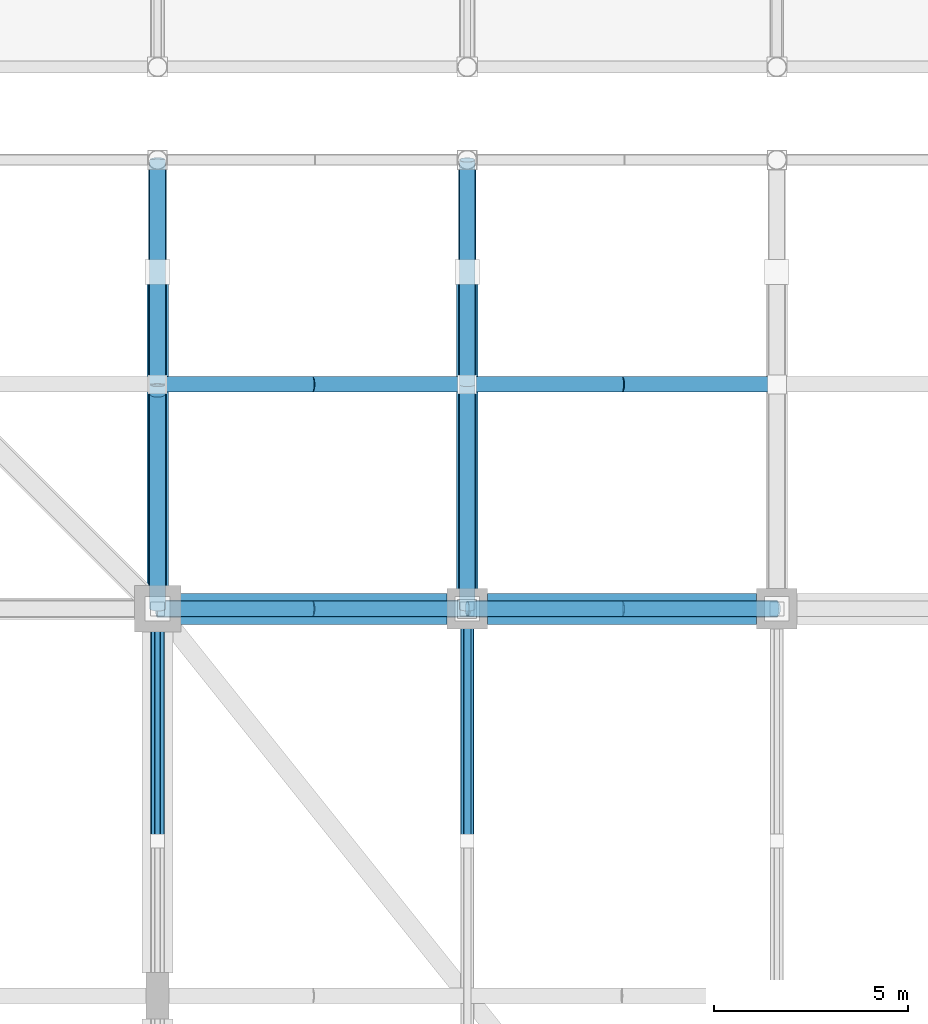
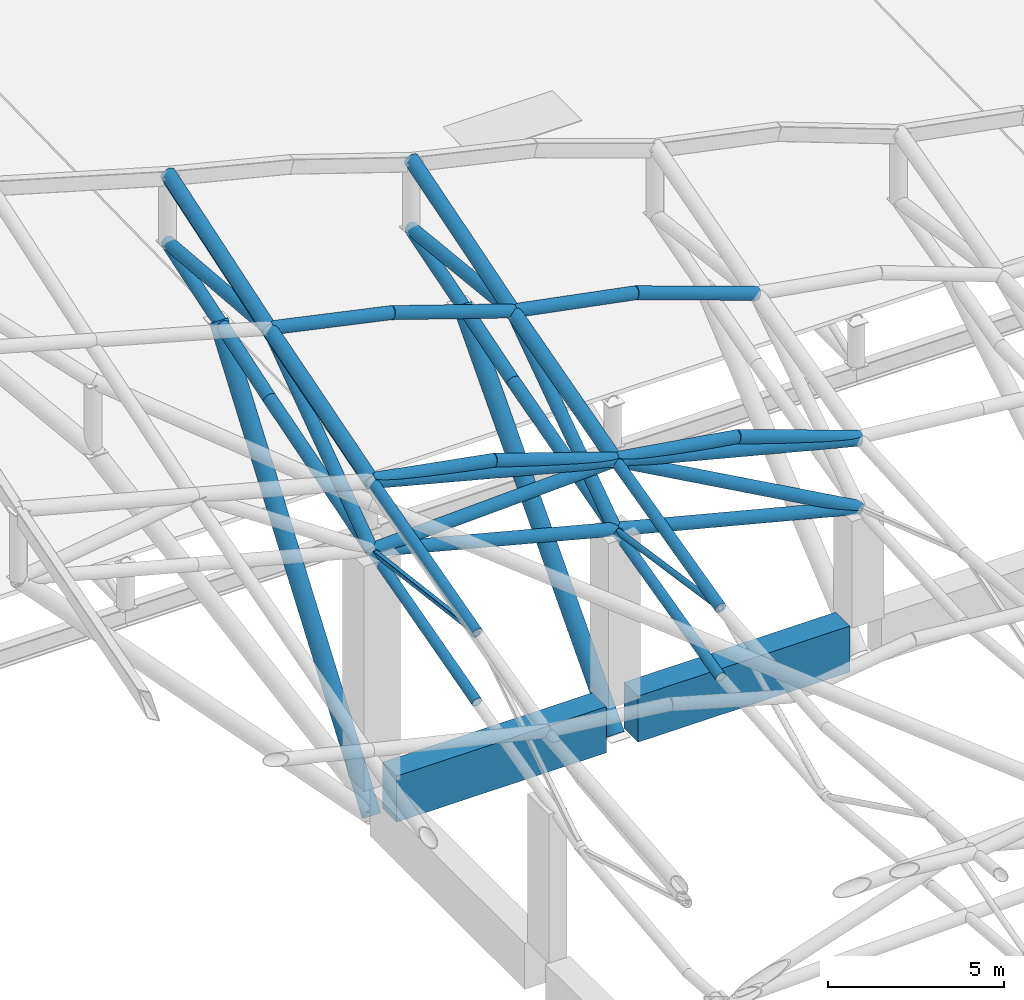
# One storey, part 11 of 75: 36 members, 2 beams.
"""IFC4 building model written with IfcOpenShell, lengths in metres."""

import ifcopenshell
import ifcopenshell.guid

model = None  # the IFC model being written
_history = None  # IfcOwnerHistory: only IFC2X3 demands one
_inside = {}  # id of a spatial element -> (the spatial element, [elements in it])
_under = {}  # id of a project, library or spatial element -> (it, [spatial elements below it])
_declared = {}  # id of a project -> (the project, [libraries it declares])
_typed = {}  # id of a type object -> (the type object, [elements of that type])
_made_of = {}  # id of a material, layer set ... -> (it, [elements and type objects made of it])


def new_model(schema):
    """Start an empty IFC model of exactly this schema.

    Asked for "IFC4X3", IfcOpenShell would pick the latest addendum, in which some entities
    have other attributes; the version numbers below select the first issue.
    IFC2X3 requires an IfcOwnerHistory on every rooted entity: one is made here for all.
    """
    global model, _history
    if schema == "IFC4X3":
        model = ifcopenshell.file(schema_version=(4, 3, 0, 0))
    else:
        model = ifcopenshell.file(schema=schema)
    _inside.clear()
    _under.clear()
    _declared.clear()
    _typed.clear()
    _made_of.clear()
    _history = None
    if model.schema == "IFC2X3":
        org = make("IfcOrganization", Name="unknown")
        user = make(
            "IfcPersonAndOrganization",
            ThePerson=make("IfcPerson", FamilyName="unknown"),
            TheOrganization=org,
        )
        app = make(
            "IfcApplication",
            ApplicationDeveloper=org,
            Version="unknown",
            ApplicationFullName="unknown",
            ApplicationIdentifier="unknown",
        )
        _history = make(
            "IfcOwnerHistory",
            OwningUser=user,
            OwningApplication=app,
            ChangeAction="ADDED",
            CreationDate=0,
        )
    return model


def make(cls, **values):
    """One entity of the class cls with the attributes given. An attribute that is None is left unset."""
    return model.create_entity(
        cls, **{name: value for name, value in values.items() if value is not None}
    )


def rooted(cls, **values):
    """An entity with a GlobalId (a new one), such as an element, a storey or a relation."""
    return make(cls, GlobalId=ifcopenshell.guid.new(), OwnerHistory=_history, **values)


def si_unit(unit_type, name, prefix=None):
    """IfcSIUnit, for example si_unit("LENGTHUNIT", "METRE", prefix="MILLI")."""
    return make("IfcSIUnit", UnitType=unit_type, Prefix=prefix, Name=name)


def assignment(units):
    """IfcUnitAssignment: the units of a project."""
    return None if units is None else make("IfcUnitAssignment", Units=units)


def point(xyz):
    """IfcCartesianPoint."""
    return None if xyz is None else make("IfcCartesianPoint", Coordinates=xyz)


def direction(xyz):
    """IfcDirection."""
    return None if xyz is None else make("IfcDirection", DirectionRatios=xyz)


def frame(location, z_axis=None, x_axis=None):
    """IfcAxis2Placement3D, a coordinate frame: its origin and axes. An axis left out is left unset."""
    return make(
        "IfcAxis2Placement3D",
        Location=point(location),
        Axis=direction(z_axis),
        RefDirection=direction(x_axis),
    )


def frame_2d(location, x_axis=None):
    """IfcAxis2Placement2D, a coordinate frame in the plane: its origin and x axis."""
    return make(
        "IfcAxis2Placement2D", Location=point(location), RefDirection=direction(x_axis)
    )


def origin():
    """The frame at (0, 0, 0) with its axes left unset."""
    return frame((0.0, 0.0, 0.0))


def origin_2d():
    """The frame at (0, 0) in the plane with its x axis left unset."""
    return frame_2d((0.0, 0.0))


def place(relative_to, where):
    """IfcLocalPlacement: puts the frame where relative to a parent placement (None: the world)."""
    return make(
        "IfcLocalPlacement", PlacementRelTo=relative_to, RelativePlacement=where
    )


def context(
    kind, dimensions, precision=None, world=None, true_north=None, identifier=None
):
    """IfcGeometricRepresentationContext, for example the 3D "Model" context."""
    return make(
        "IfcGeometricRepresentationContext",
        ContextIdentifier=identifier,
        ContextType=kind,
        CoordinateSpaceDimension=dimensions,
        Precision=precision,
        WorldCoordinateSystem=world,
        TrueNorth=true_north,
    )


def subcontext(parent, identifier, kind, view, scale=None):
    """IfcGeometricRepresentationSubContext, for example "Body" below "Model"."""
    return make(
        "IfcGeometricRepresentationSubContext",
        ContextIdentifier=identifier,
        ContextType=kind,
        ParentContext=parent,
        TargetScale=scale,
        TargetView=view,
    )


def project(units=None, contexts=None):
    """IfcProject with its units and contexts."""
    return rooted(
        "IfcProject",
        Name="project",
        RepresentationContexts=contexts,
        UnitsInContext=assignment(units),
    )


def spatial(cls, under=None, at=None, **own):
    """A site, building, storey or space (cls), placed at a placement, below another one or the project."""
    s = rooted(cls, ObjectPlacement=at, **own)
    if under is not None:
        _under.setdefault(under.id(), (under, []))[1].append(s)
    return s


def profile(cls, at=None, kind="AREA", **sizes):
    """A parametric profile (cls). Its sizes go by their IFC names, for example OverallWidth=200.0."""
    return make(cls, ProfileType=kind, Position=at, **sizes)


def rectangle(**sizes):
    """IfcRectangleProfileDef."""
    return profile("IfcRectangleProfileDef", **sizes)


def hollow_rectangle(**sizes):
    """IfcRectangleHollowProfileDef."""
    return profile("IfcRectangleHollowProfileDef", **sizes)


def hollow_circle(**sizes):
    """IfcCircleHollowProfileDef."""
    return profile("IfcCircleHollowProfileDef", **sizes)


def extrude(swept, where, along, depth):
    """IfcExtrudedAreaSolid: the profile swept, set in the frame where, extruded along a direction by depth."""
    return make(
        "IfcExtrudedAreaSolid",
        SweptArea=swept,
        Position=where,
        ExtrudedDirection=direction(along),
        Depth=depth,
    )


def shape(context_of_items, identifier, shape_type, items):
    """IfcShapeRepresentation: the items that make up one representation, for example the "Body"."""
    return make(
        "IfcShapeRepresentation",
        ContextOfItems=context_of_items,
        RepresentationIdentifier=identifier,
        RepresentationType=shape_type,
        Items=items,
    )


def material(Name=None, Category=None):
    """IfcMaterial."""
    return make("IfcMaterial", Name=Name, Category=Category)


def material_profile(
    of_material, cross_section, Name=None, Category=None, Priority=None
):
    """IfcMaterialProfile: a cross section and its material."""
    return make(
        "IfcMaterialProfile",
        Name=Name,
        Material=of_material,
        Profile=cross_section,
        Priority=Priority,
        Category=Category,
    )


def profile_set(profiles, Name=None, composite=None):
    """IfcMaterialProfileSet."""
    return make(
        "IfcMaterialProfileSet",
        Name=Name,
        MaterialProfiles=profiles,
        CompositeProfile=composite,
    )


def made_of(thing, what):
    """Note that an element or type object is made of a material, layer set ...; save() writes the relation."""
    if what is not None:
        _made_of.setdefault(what.id(), (what, []))[1].append(thing)
    return thing


def type_object(cls, material=None, **own):
    """A type object (cls), such as IfcWallType, which elements share."""
    return made_of(rooted(cls, **own), material)


def element(
    cls,
    number,
    at=None,
    inside=None,
    cuts=None,
    type_object=None,
    material=None,
    context=None,
    identifier="Body",
    shape_type=None,
    held_by="IfcProductDefinitionShape",
    body=None,
    shapes=None,
    **own,
):
    """One element of the class cls, such as IfcWall. Its Tag is "e" and its number.

    at: its placement. inside: the storey or other place that contains it. cuts: it is an
    opening in that element (IfcRelVoidsElement). A single representation is given by context,
    identifier, shape_type and body (its items); several are given by shapes. held_by: the class
    of the entity that holds the representations. save() writes the other relations.
    """
    e = rooted(cls, Tag="e%d" % number, ObjectPlacement=at, **own)
    if body is not None:
        shapes = [shape(context, identifier, shape_type, body)]
    if shapes is not None:
        e.Representation = make(held_by, Representations=shapes)
    if inside is not None:
        _inside.setdefault(inside.id(), (inside, []))[1].append(e)
    if cuts is not None:
        rooted(
            "IfcRelVoidsElement", RelatingBuildingElement=cuts, RelatedOpeningElement=e
        )
    if type_object is not None:
        _typed.setdefault(type_object.id(), (type_object, []))[1].append(e)
    return made_of(e, material)


def aggregate(whole, parts):
    """IfcRelAggregates: a whole, such as a stair, and the parts it consists of."""
    return rooted("IfcRelAggregates", RelatingObject=whole, RelatedObjects=parts)


def save(model, path):
    """Write the relations noted so far, then the file.

    IfcRelAggregates (storeys below a building ...), IfcRelContainedInSpatialStructure (elements
    in a storey), IfcRelDefinesByType, IfcRelAssociatesMaterial and IfcRelDeclares: one each for
    every whole, place, type object, material and project.
    """
    for whole, parts in _under.values():
        aggregate(whole, parts)
    for where, things in _inside.values():
        rooted(
            "IfcRelContainedInSpatialStructure",
            RelatedElements=things,
            RelatingStructure=where,
        )
    for kind, things in _typed.values():
        rooted("IfcRelDefinesByType", RelatedObjects=things, RelatingType=kind)
    for what, things in _made_of.values():
        rooted("IfcRelAssociatesMaterial", RelatedObjects=things, RelatingMaterial=what)
    for by, libraries in _declared.values():
        rooted("IfcRelDeclares", RelatingContext=by, RelatedDefinitions=libraries)
    model.write(path)


model = new_model("IFC4")

# Units and contexts
model_context = context("Model", 3, precision=1e-05, world=origin(), true_north=direction((0.0, 1.0)))
body_context = subcontext(model_context, "Body", "Model", "MODEL_VIEW")
ifc_project = project(units=[si_unit("LENGTHUNIT", "METRE"), si_unit("AREAUNIT", "SQUARE_METRE"), si_unit("VOLUMEUNIT", "CUBIC_METRE"), si_unit("PLANEANGLEUNIT", "RADIAN"), si_unit("MASSUNIT", "GRAM", prefix="KILO")], contexts=[model_context])

# Site, building, storey
site_placement = place(None, origin())
site = spatial("IfcSite", under=ifc_project, at=site_placement, CompositionType="ELEMENT")
building_placement = place(site_placement, origin())
building = spatial("IfcBuilding", under=site, at=building_placement, Name="Khorjan Park Terminus", CompositionType="ELEMENT")
storey_placement = place(building_placement, frame((0.0, 0.0, 16.2)))
storey = spatial("IfcBuildingStorey", under=building, at=storey_placement, Name="L03", CompositionType="ELEMENT", Elevation=16.2)

# Members
ifc_material_1 = material(Name="Steel S355", Category="steel")
ifc_material_profile_1 = material_profile(ifc_material_1, hollow_circle(Radius=0.0969, WallThickness=0.01, at=origin_2d()), Name="CHS 193.7x10")
ifc_profile_set_1 = profile_set([ifc_material_profile_1], Name="Steel S355")
member_type_1 = type_object("IfcMemberType", Name="MB-BR-194", PredefinedType="BRACE", material=ifc_profile_set_1)
member_1_placement = place(storey_placement, frame((56.0, 82.0, 6.6389), z_axis=(0.0, 0.988987074214, -0.148001915656), x_axis=(-1.0, 0.0, 0.0)))
element("IfcMember", 1, at=member_1_placement, inside=storey, type_object=member_type_1, Name="Upper shell fold space-truss web diagonal (2)", PredefinedType="BRACE", context=body_context, shape_type="SweptSolid", body=[
    extrude(hollow_circle(Radius=0.0969, WallThickness=0.01, at=origin_2d()), origin(), (0.0, 0.0, 1.0), 6.0668),
])
ifc_material_profile_2 = material_profile(ifc_material_1, hollow_rectangle(XDim=0.15, YDim=0.15, WallThickness=0.01, InnerFilletRadius=0.01, OuterFilletRadius=0.02, at=origin_2d()), Name="SHS 150x150x10")
ifc_profile_set_2 = profile_set([ifc_material_profile_2], Name="Steel S355")
member_type_2 = type_object("IfcMemberType", Name="MB-BR-SHS150", PredefinedType="BRACE", material=ifc_profile_set_2)
member_2_placement = place(storey_placement, frame((48.0, 82.0, 8.5711), z_axis=(0.0, 0.992247315967, -0.124278976325), x_axis=(-1.0, 0.0, 0.0)))
element("IfcMember", 2, at=member_2_placement, inside=storey, type_object=member_type_2, Name="Upper shell fold space-truss web diagonal (1)", PredefinedType="BRACE", context=body_context, shape_type="SweptSolid", body=[
    extrude(hollow_rectangle(XDim=0.15, YDim=0.15, WallThickness=0.01, InnerFilletRadius=0.01, OuterFilletRadius=0.02, at=origin_2d()), origin(), (0.0, 0.0, 1.0), 6.0469),
])
ifc_material_profile_3 = material_profile(ifc_material_1, hollow_circle(Radius=0.162, WallThickness=0.0125, at=origin_2d()), Name="CHS 323.9x12.5")
ifc_profile_set_3 = profile_set([ifc_material_profile_3], Name="Steel S355")
member_type_3 = type_object("IfcMemberType", Name="MB-CH-324", PredefinedType="CHORD", material=ifc_profile_set_3)
member_3_placement = place(storey_placement, frame((48.0, 82.0, 6.1711), z_axis=(0.0, 0.964266999163, 0.26493235802), x_axis=(-1.0, 0.0, 0.0)))
element("IfcMember", 3, at=member_3_placement, inside=storey, type_object=member_type_3, Name="Upper shell fold space-truss bottom chord (1)", PredefinedType="CHORD", context=body_context, shape_type="SweptSolid", body=[
    extrude(hollow_circle(Radius=0.162, WallThickness=0.0125, at=origin_2d()), origin(), (0.0, 0.0, 1.0), 6.2223),
])
member_4_placement = place(storey_placement, frame((56.0, 82.0, 4.2389), z_axis=(0.0, 0.970062560013, 0.242855161899), x_axis=(-1.0, 0.0, 0.0)))
element("IfcMember", 4, at=member_4_placement, inside=storey, type_object=member_type_3, Name="Upper shell fold space-truss bottom chord (2)", PredefinedType="CHORD", context=body_context, shape_type="SweptSolid", body=[
    extrude(hollow_circle(Radius=0.162, WallThickness=0.0125, at=origin_2d()), origin(), (0.0, 0.0, 1.0), 6.1852),
])
ifc_material_profile_4 = material_profile(ifc_material_1, hollow_circle(Radius=0.1778, WallThickness=0.016, at=origin_2d()), Name="CHS 355.6x16")
ifc_profile_set_4 = profile_set([ifc_material_profile_4], Name="Steel S355")
member_type_4 = type_object("IfcMemberType", Name="MB-CH-356", PredefinedType="CHORD", material=ifc_profile_set_4)
member_5_placement = place(storey_placement, frame((48.0, 82.0, 8.5711), z_axis=(0.0, 0.964266999163, 0.26493235802), x_axis=(-1.0, 0.0, 0.0)))
element("IfcMember", 5, at=member_5_placement, inside=storey, type_object=member_type_4, Name="Upper shell fold space-truss top chord (1)", PredefinedType="CHORD", context=body_context, shape_type="SweptSolid", body=[
    extrude(hollow_circle(Radius=0.1778, WallThickness=0.016, at=origin_2d()), origin(), (0.0, 0.0, 1.0), 6.2223),
])
member_6_placement = place(storey_placement, frame((56.0, 82.0, 6.6389), z_axis=(0.0, 0.970062560013, 0.242855161899), x_axis=(-1.0, 0.0, 0.0)))
element("IfcMember", 6, at=member_6_placement, inside=storey, type_object=member_type_4, Name="Upper shell fold space-truss top chord (2)", PredefinedType="CHORD", context=body_context, shape_type="SweptSolid", body=[
    extrude(hollow_circle(Radius=0.1778, WallThickness=0.016, at=origin_2d()), origin(), (0.0, 0.0, 1.0), 6.1852),
])
ifc_material_profile_5 = material_profile(ifc_material_1, hollow_circle(Radius=0.2032, WallThickness=0.016, at=origin_2d()), Name="CHS 406.4x16")
ifc_profile_set_5 = profile_set([ifc_material_profile_5], Name="Steel S355")
member_type_5 = type_object("IfcMemberType", Name="MB-CH-406", PredefinedType="CHORD", material=ifc_profile_set_5)
member_7_placement = place(storey_placement, frame((48.0, 88.0, 7.8196), z_axis=(0.967863743129, 0.0, -0.251475197059), x_axis=(0.0, 1.0, 0.0)))
element("IfcMember", 7, at=member_7_placement, inside=storey, type_object=member_type_5, Name="Upper shell longitudinal truss bottom chord (W4)", PredefinedType="CHORD", context=body_context, shape_type="SweptSolid", body=[
    extrude(hollow_circle(Radius=0.2032, WallThickness=0.016, at=origin_2d()), origin(), (0.0, 0.0, 1.0), 8.2656),
])
member_8_placement = place(storey_placement, frame((56.0, 88.0, 5.741), z_axis=(0.968840831893, 0.0, -0.247684158673), x_axis=(0.0, 1.0, 0.0)))
element("IfcMember", 8, at=member_8_placement, inside=storey, type_object=member_type_5, Name="Upper shell longitudinal truss bottom chord (W4)", PredefinedType="CHORD", context=body_context, shape_type="SweptSolid", body=[
    extrude(hollow_circle(Radius=0.2032, WallThickness=0.016, at=origin_2d()), origin(), (0.0, 0.0, 1.0), 8.2573),
])
ifc_material_profile_6 = material_profile(ifc_material_1, hollow_circle(Radius=0.2285, WallThickness=0.016, at=origin_2d()), Name="CHS 457x16")
ifc_profile_set_6 = profile_set([ifc_material_profile_6], Name="Steel S355")
member_type_6 = type_object("IfcMemberType", Name="MB-CH-457", PredefinedType="CHORD", material=ifc_profile_set_6)
member_9_placement = place(storey_placement, frame((48.0, 88.0, 10.2196), z_axis=(0.967863743129, 0.0, -0.251475197059), x_axis=(0.0, 1.0, 0.0)))
element("IfcMember", 9, at=member_9_placement, inside=storey, type_object=member_type_6, Name="Upper shell longitudinal truss top chord (W4)", PredefinedType="CHORD", context=body_context, shape_type="SweptSolid", body=[
    extrude(hollow_circle(Radius=0.2285, WallThickness=0.016, at=origin_2d()), origin(), (0.0, 0.0, 1.0), 8.2656),
])
member_10_placement = place(storey_placement, frame((56.0, 88.0, 8.141), z_axis=(0.968840831893, 0.0, -0.247684158673), x_axis=(0.0, 1.0, 0.0)))
element("IfcMember", 10, at=member_10_placement, inside=storey, type_object=member_type_6, Name="Upper shell longitudinal truss top chord (W4)", PredefinedType="CHORD", context=body_context, shape_type="SweptSolid", body=[
    extrude(hollow_circle(Radius=0.2285, WallThickness=0.016, at=origin_2d()), origin(), (0.0, 0.0, 1.0), 8.2573),
])
ifc_material_profile_7 = material_profile(ifc_material_1, hollow_circle(Radius=0.2032, WallThickness=0.016, at=origin_2d()), Name="CHS 406.4x16")
ifc_profile_set_7 = profile_set([ifc_material_profile_7], Name="Steel S355")
member_type_7 = type_object("IfcMemberType", Name="MB-CHE-406", PredefinedType="CHORD", material=ifc_profile_set_7)
member_11_placement = place(storey_placement, frame((48.0, 88.0, 10.1196), z_axis=(0.0, 0.95754410517, 0.288286813181), x_axis=(-1.0, 0.0, 0.0)))
element("IfcMember", 11, at=member_11_placement, inside=storey, type_object=member_type_7, Name="Upper shell overhang fold purlin TCE-41 (Y19)", PredefinedType="CHORD", context=body_context, shape_type="SweptSolid", body=[
    extrude(hollow_circle(Radius=0.2032, WallThickness=0.016, at=origin_2d()), origin(), (0.0, 0.0, 1.0), 6.0572),
])
member_12_placement = place(storey_placement, frame((48.0, 93.8, 11.8658), z_axis=(0.0, 0.950488250775, 0.310760494818), x_axis=(-1.0, 0.0, 0.0)))
element("IfcMember", 12, at=member_12_placement, inside=storey, type_object=member_type_7, Name="Upper shell overhang fold purlin TCE-41 (Y20)", PredefinedType="CHORD", context=body_context, shape_type="SweptSolid", body=[
    extrude(hollow_circle(Radius=0.2032, WallThickness=0.016, at=origin_2d()), origin(), (0.0, 0.0, 1.0), 6.1021),
])
member_13_placement = place(storey_placement, frame((48.0, 88.0, 10.2596), z_axis=(0.983790717148, 0.0, -0.179320452968), x_axis=(0.0, 1.0, 0.0)))
element("IfcMember", 13, at=member_13_placement, inside=storey, type_object=member_type_7, Name="Upper shell fold rib chord (219)", PredefinedType="CHORD", context=body_context, shape_type="SweptSolid", body=[
    extrude(hollow_circle(Radius=0.2032, WallThickness=0.016, at=origin_2d()), origin(), (0.0, 0.0, 1.0), 4.0659),
])
member_14_placement = place(storey_placement, frame((52.0, 88.0, 9.5305), z_axis=(0.947528159205, 0.0, -0.319672312712), x_axis=(0.0, 1.0, 0.0)))
element("IfcMember", 14, at=member_14_placement, inside=storey, type_object=member_type_7, Name="Upper shell fold rib chord (220)", PredefinedType="CHORD", context=body_context, shape_type="SweptSolid", body=[
    extrude(hollow_circle(Radius=0.2032, WallThickness=0.016, at=origin_2d()), origin(), (0.0, 0.0, 1.0), 4.2215),
])
member_15_placement = place(storey_placement, frame((56.0, 88.0, 8.181), z_axis=(0.987872255403, 0.0, -0.155268821743), x_axis=(0.0, 1.0, 0.0)))
element("IfcMember", 15, at=member_15_placement, inside=storey, type_object=member_type_7, Name="Upper shell fold rib chord (221)", PredefinedType="CHORD", context=body_context, shape_type="SweptSolid", body=[
    extrude(hollow_circle(Radius=0.2032, WallThickness=0.016, at=origin_2d()), origin(), (0.0, 0.0, 1.0), 4.0491),
])
member_16_placement = place(storey_placement, frame((60.0, 88.0, 7.5523), z_axis=(0.942639584618, 0.0, -0.333812242903), x_axis=(0.0, 1.0, 0.0)))
element("IfcMember", 16, at=member_16_placement, inside=storey, type_object=member_type_7, Name="Upper shell fold rib chord (222)", PredefinedType="CHORD", context=body_context, shape_type="SweptSolid", body=[
    extrude(hollow_circle(Radius=0.2032, WallThickness=0.016, at=origin_2d()), origin(), (0.0, 0.0, 1.0), 4.2434),
])
member_17_placement = place(storey_placement, frame((48.0, 93.8, 12.0058), z_axis=(0.977371995553, 0.0, -0.211527734137), x_axis=(0.0, 1.0, 0.0)))
element("IfcMember", 17, at=member_17_placement, inside=storey, type_object=member_type_7, Name="Upper shell fold rib chord (243)", PredefinedType="CHORD", context=body_context, shape_type="SweptSolid", body=[
    extrude(hollow_circle(Radius=0.2032, WallThickness=0.016, at=origin_2d()), origin(), (0.0, 0.0, 1.0), 4.0926),
])
member_18_placement = place(storey_placement, frame((52.0, 93.8, 11.1401), z_axis=(0.948279508814, 0.0, -0.317436565575), x_axis=(0.0, 1.0, 0.0)))
element("IfcMember", 18, at=member_18_placement, inside=storey, type_object=member_type_7, Name="Upper shell fold rib chord (244)", PredefinedType="CHORD", context=body_context, shape_type="SweptSolid", body=[
    extrude(hollow_circle(Radius=0.2032, WallThickness=0.016, at=origin_2d()), origin(), (0.0, 0.0, 1.0), 4.2182),
])
member_19_placement = place(storey_placement, frame((56.0, 93.8, 9.8011), z_axis=(0.981807019959, 0.0, -0.18988147766), x_axis=(0.0, 1.0, 0.0)))
element("IfcMember", 19, at=member_19_placement, inside=storey, type_object=member_type_7, Name="Upper shell fold rib chord (245)", PredefinedType="CHORD", context=body_context, shape_type="SweptSolid", body=[
    extrude(hollow_circle(Radius=0.2032, WallThickness=0.016, at=origin_2d()), origin(), (0.0, 0.0, 1.0), 4.0741),
])
member_20_placement = place(storey_placement, frame((60.0, 93.8, 9.0275), z_axis=(0.942795230781, 0.0, -0.333372393604), x_axis=(0.0, 1.0, 0.0)))
element("IfcMember", 20, at=member_20_placement, inside=storey, type_object=member_type_7, Name="Upper shell fold rib chord (246)", PredefinedType="CHORD", context=body_context, shape_type="SweptSolid", body=[
    extrude(hollow_circle(Radius=0.2032, WallThickness=0.016, at=origin_2d()), origin(), (0.0, 0.0, 1.0), 4.2427),
])
member_21_placement = place(storey_placement, frame((48.0, 88.0, 7.8196), z_axis=(0.0, 0.95754410517, 0.288286813181), x_axis=(-1.0, 0.0, 0.0)))
element("IfcMember", 21, at=member_21_placement, inside=storey, type_object=member_type_7, Name="Upper shell fold space-truss bottom chord (1)", PredefinedType="CHORD", context=body_context, shape_type="SweptSolid", body=[
    extrude(hollow_circle(Radius=0.2032, WallThickness=0.016, at=origin_2d()), origin(), (0.0, 0.0, 1.0), 6.0572),
])
member_22_placement = place(storey_placement, frame((48.0, 93.8, 9.5658), z_axis=(0.0, 0.950488250775, 0.310760494818), x_axis=(-1.0, 0.0, 0.0)))
element("IfcMember", 22, at=member_22_placement, inside=storey, type_object=member_type_7, Name="Upper shell fold space-truss bottom chord (1)", PredefinedType="CHORD", context=body_context, shape_type="SweptSolid", body=[
    extrude(hollow_circle(Radius=0.2032, WallThickness=0.016, at=origin_2d()), origin(), (0.0, 0.0, 1.0), 6.1021),
])
member_23_placement = place(storey_placement, frame((56.0, 88.0, 5.741), z_axis=(0.0, 0.963131983886, 0.269029332258), x_axis=(-1.0, 0.0, 0.0)))
element("IfcMember", 23, at=member_23_placement, inside=storey, type_object=member_type_7, Name="Upper shell fold space-truss bottom chord (2)", PredefinedType="CHORD", context=body_context, shape_type="SweptSolid", body=[
    extrude(hollow_circle(Radius=0.2032, WallThickness=0.016, at=origin_2d()), origin(), (0.0, 0.0, 1.0), 6.022),
])
member_24_placement = place(storey_placement, frame((56.0, 93.8, 7.3611), z_axis=(0.0, 0.955751926517, 0.294173851589), x_axis=(-1.0, 0.0, 0.0)))
element("IfcMember", 24, at=member_24_placement, inside=storey, type_object=member_type_7, Name="Upper shell fold space-truss bottom chord (2)", PredefinedType="CHORD", context=body_context, shape_type="SweptSolid", body=[
    extrude(hollow_circle(Radius=0.2032, WallThickness=0.016, at=origin_2d()), origin(), (0.0, 0.0, 1.0), 6.0685),
])
ifc_material_profile_8 = material_profile(ifc_material_1, hollow_circle(Radius=0.2285, WallThickness=0.016, at=origin_2d()), Name="CHS 457x16")
ifc_profile_set_8 = profile_set([ifc_material_profile_8], Name="Steel S355")
member_type_8 = type_object("IfcMemberType", Name="MB-CHE-457", PredefinedType="CHORD", material=ifc_profile_set_8)
member_25_placement = place(storey_placement, frame((48.0, 88.0, 10.2196), z_axis=(0.0, 0.95754410517, 0.288286813181), x_axis=(-1.0, 0.0, 0.0)))
element("IfcMember", 25, at=member_25_placement, inside=storey, type_object=member_type_8, Name="Upper shell fold space-truss top chord (1)", PredefinedType="CHORD", context=body_context, shape_type="SweptSolid", body=[
    extrude(hollow_circle(Radius=0.2285, WallThickness=0.016, at=origin_2d()), origin(), (0.0, 0.0, 1.0), 6.0572),
])
member_26_placement = place(storey_placement, frame((48.0, 93.8, 11.9658), z_axis=(0.0, 0.950488250775, 0.310760494818), x_axis=(-1.0, 0.0, 0.0)))
element("IfcMember", 26, at=member_26_placement, inside=storey, type_object=member_type_8, Name="Upper shell fold space-truss top chord (1)", PredefinedType="CHORD", context=body_context, shape_type="SweptSolid", body=[
    extrude(hollow_circle(Radius=0.2285, WallThickness=0.016, at=origin_2d()), origin(), (0.0, 0.0, 1.0), 6.1021),
])
member_27_placement = place(storey_placement, frame((56.0, 88.0, 8.141), z_axis=(0.0, 0.963131983886, 0.269029332258), x_axis=(-1.0, 0.0, 0.0)))
element("IfcMember", 27, at=member_27_placement, inside=storey, type_object=member_type_8, Name="Upper shell fold space-truss top chord (2)", PredefinedType="CHORD", context=body_context, shape_type="SweptSolid", body=[
    extrude(hollow_circle(Radius=0.2285, WallThickness=0.016, at=origin_2d()), origin(), (0.0, 0.0, 1.0), 6.022),
])
member_28_placement = place(storey_placement, frame((56.0, 93.8, 9.7611), z_axis=(0.0, 0.955751926517, 0.294173851589), x_axis=(-1.0, 0.0, 0.0)))
element("IfcMember", 28, at=member_28_placement, inside=storey, type_object=member_type_8, Name="Upper shell fold space-truss top chord (2)", PredefinedType="CHORD", context=body_context, shape_type="SweptSolid", body=[
    extrude(hollow_circle(Radius=0.2285, WallThickness=0.016, at=origin_2d()), origin(), (0.0, 0.0, 1.0), 6.0685),
])
ifc_material_profile_9 = material_profile(ifc_material_1, hollow_circle(Radius=0.2032, WallThickness=0.016, at=origin_2d()), Name="CHS 406.4x16")
ifc_profile_set_9 = profile_set([ifc_material_profile_9], Name="Steel S355")
member_type_9 = type_object("IfcMemberType", Name="MB-ST-406", PredefinedType="STRUT", material=ifc_profile_set_9)
member_29_placement = place(storey_placement, frame((48.0, 88.0, 7.8196), z_axis=(0.999193960286, 0.0, 0.040142617354), x_axis=(0.0, 1.0, 0.0)))
element("IfcMember", 29, at=member_29_placement, inside=storey, type_object=member_type_9, Name="Upper shell longitudinal truss diagonal (W4)", PredefinedType="STRUT", context=body_context, shape_type="SweptSolid", body=[
    extrude(hollow_circle(Radius=0.2032, WallThickness=0.016, at=origin_2d()), origin(), (0.0, 0.0, 1.0), 8.0065),
])
member_30_placement = place(storey_placement, frame((56.0, 88.0, 8.141), z_axis=(0.874122226492, 0.0, -0.48570601515), x_axis=(0.0, 1.0, 0.0)))
element("IfcMember", 30, at=member_30_placement, inside=storey, type_object=member_type_9, Name="Upper shell longitudinal truss diagonal (W4)", PredefinedType="STRUT", context=body_context, shape_type="SweptSolid", body=[
    extrude(hollow_circle(Radius=0.2032, WallThickness=0.016, at=origin_2d()), origin(), (0.0, 0.0, 1.0), 9.152),
])
ifc_material_profile_10 = material_profile(ifc_material_1, hollow_circle(Radius=0.2795, WallThickness=0.02, at=origin_2d()), Name="CHS 559x20")
ifc_profile_set_10 = profile_set([ifc_material_profile_10], Name="Steel S355")
member_type_10 = type_object("IfcMemberType", Name="MB-ST-CHS559", PredefinedType="STRUT", material=ifc_profile_set_10)
member_31_placement = place(storey_placement, frame((48.0, 88.0, -1.4), z_axis=(0.0, 0.589737657824, 0.807594882936), x_axis=(-1.0, 0.0, 0.0)))
element("IfcMember", 31, at=member_31_placement, inside=storey, type_object=member_type_10, Name="Upper shell raked overhang V-strut STE-56 (1N)", PredefinedType="STRUT", context=body_context, shape_type="SweptSolid", body=[
    extrude(hollow_circle(Radius=0.2795, WallThickness=0.02, at=origin_2d()), origin(), (0.0, 0.0, 1.0), 14.7523),
])
member_32_placement = place(storey_placement, frame((56.0, 88.0, -1.4), z_axis=(0.0, 0.669460715614, 0.742847460957), x_axis=(-1.0, 0.0, 0.0)))
element("IfcMember", 32, at=member_32_placement, inside=storey, type_object=member_type_10, Name="Upper shell raked overhang V-strut STE-56 (2N)", PredefinedType="STRUT", context=body_context, shape_type="SweptSolid", body=[
    extrude(hollow_circle(Radius=0.2795, WallThickness=0.02, at=origin_2d()), origin(), (0.0, 0.0, 1.0), 12.9955),
])
ifc_material_profile_11 = material_profile(ifc_material_1, hollow_circle(Radius=0.2032, WallThickness=0.016, at=origin_2d()), Name="CHS 406.4x16")
ifc_profile_set_11 = profile_set([ifc_material_profile_11], Name="Steel S355")
member_type_11 = type_object("IfcMemberType", Name="MB-STE-406", PredefinedType="STRUT", material=ifc_profile_set_11)
member_33_placement = place(storey_placement, frame((48.0, 88.0, 7.8196), z_axis=(0.0, 0.813511648552, 0.581548620212), x_axis=(-1.0, 0.0, 0.0)))
element("IfcMember", 33, at=member_33_placement, inside=storey, type_object=member_type_11, Name="Upper shell fold space-truss web diagonal (1)", PredefinedType="STRUT", context=body_context, shape_type="SweptSolid", body=[
    extrude(hollow_circle(Radius=0.2032, WallThickness=0.016, at=origin_2d()), origin(), (0.0, 0.0, 1.0), 7.1296),
])
member_34_placement = place(storey_placement, frame((48.0, 93.8, 11.9658), z_axis=(0.0, 0.996250185573, -0.086519175599), x_axis=(-1.0, 0.0, 0.0)))
element("IfcMember", 34, at=member_34_placement, inside=storey, type_object=member_type_11, Name="Upper shell fold space-truss web diagonal (1)", PredefinedType="STRUT", context=body_context, shape_type="SweptSolid", body=[
    extrude(hollow_circle(Radius=0.2032, WallThickness=0.016, at=origin_2d()), origin(), (0.0, 0.0, 1.0), 5.8218),
])
member_35_placement = place(storey_placement, frame((56.0, 88.0, 5.741), z_axis=(0.0, 0.821879356644, 0.56966158649), x_axis=(-1.0, 0.0, 0.0)))
element("IfcMember", 35, at=member_35_placement, inside=storey, type_object=member_type_11, Name="Upper shell fold space-truss web diagonal (2)", PredefinedType="STRUT", context=body_context, shape_type="SweptSolid", body=[
    extrude(hollow_circle(Radius=0.2032, WallThickness=0.016, at=origin_2d()), origin(), (0.0, 0.0, 1.0), 7.057),
])
member_36_placement = place(storey_placement, frame((56.0, 93.8, 9.7611), z_axis=(0.0, 0.994428903913, -0.105409463815), x_axis=(-1.0, 0.0, 0.0)))
element("IfcMember", 36, at=member_36_placement, inside=storey, type_object=member_type_11, Name="Upper shell fold space-truss web diagonal (2)", PredefinedType="STRUT", context=body_context, shape_type="SweptSolid", body=[
    extrude(hollow_circle(Radius=0.2032, WallThickness=0.016, at=origin_2d()), origin(), (0.0, 0.0, 1.0), 5.8325),
])

# Beams
ifc_material_2 = material(Name="Concrete C50/60", Category="concrete")
ifc_material_profile_12 = material_profile(ifc_material_2, rectangle(XDim=0.8, YDim=1.6, at=origin_2d()), Name="RC 800x1600")
ifc_profile_set_12 = profile_set([ifc_material_profile_12], Name="Concrete C50/60")
beam_type = type_object("IfcBeamType", Name="SP-RC800x1600", PredefinedType="SPANDREL", material=ifc_profile_set_12)
beam_1_placement = place(storey_placement, frame((48.594, 88.0, -0.8), z_axis=(1.0, 0.0, 0.0), x_axis=(0.0, 1.0, 0.0)))
element("IfcBeam", 37, at=beam_1_placement, inside=storey, type_object=beam_type, Name="Concourse colonnade ring beam SP-16 (2)", PredefinedType="SPANDREL", context=body_context, shape_type="SweptSolid", body=[
    extrude(rectangle(XDim=0.8, YDim=1.6, at=origin_2d()), origin(), (0.0, 0.0, 1.0), 6.887),
])
beam_2_placement = place(storey_placement, frame((56.519, 88.0, -0.8), z_axis=(1.0, 0.0, 0.0), x_axis=(0.0, 1.0, 0.0)))
element("IfcBeam", 38, at=beam_2_placement, inside=storey, type_object=beam_type, Name="Concourse colonnade ring beam SP-16 (4)", PredefinedType="SPANDREL", context=body_context, shape_type="SweptSolid", body=[
    extrude(rectangle(XDim=0.8, YDim=1.6, at=origin_2d()), origin(), (0.0, 0.0, 1.0), 6.962),
])

save(model, "model.ifc")
